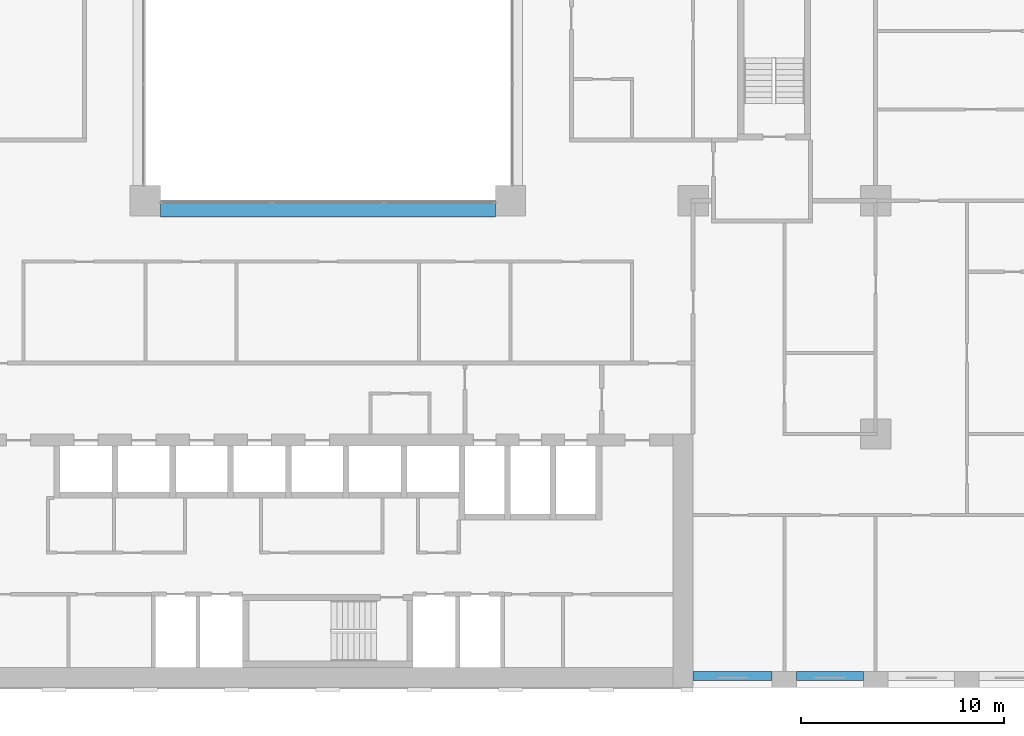
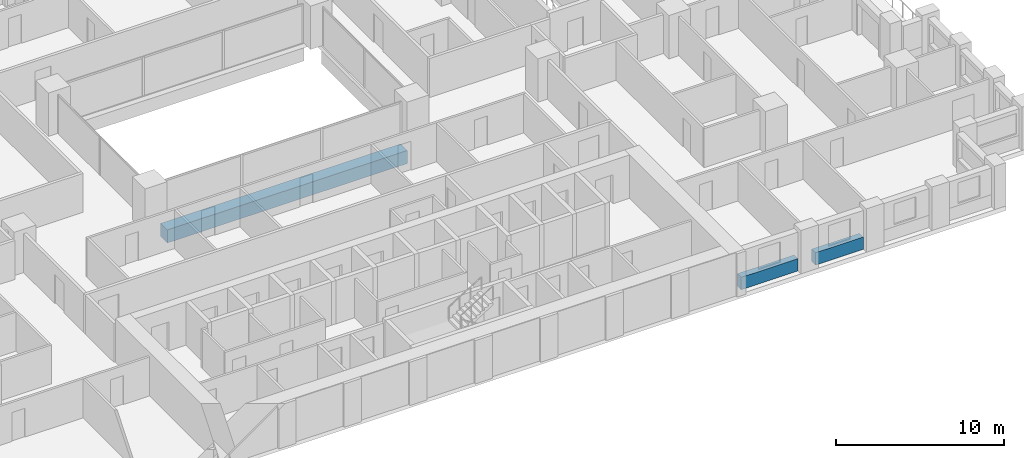
# One storey, part 3 of 20: 3 beams.
"""IFC4 building model written with IfcOpenShell, lengths in metres."""

from ifc_helpers import new_model, si_unit, direction, frame, origin, origin_2d, place, context, subcontext, project, spatial, rectangle, extrude, material, material_profile, profile_set, type_object, element, save


model = new_model("IFC4")

# Units and contexts
model_context = context("Model", 3, precision=1e-05, world=origin(), true_north=direction((0.0, 1.0)))
body_context = subcontext(model_context, "Body", "Model", "MODEL_VIEW")
ifc_project = project(units=[si_unit("LENGTHUNIT", "METRE"), si_unit("AREAUNIT", "SQUARE_METRE"), si_unit("VOLUMEUNIT", "CUBIC_METRE"), si_unit("PLANEANGLEUNIT", "RADIAN"), si_unit("MASSUNIT", "GRAM", prefix="KILO")], contexts=[model_context])

# Site, building, storey
site_placement = place(None, origin())
site = spatial("IfcSite", under=ifc_project, at=site_placement, CompositionType="ELEMENT")
building_placement = place(site_placement, origin())
building = spatial("IfcBuilding", under=site, at=building_placement, Name="Brigalow Station Residences", CompositionType="ELEMENT")
storey_placement = place(building_placement, frame((0.0, 0.0, 44.699951171875)))
storey = spatial("IfcBuildingStorey", under=building, at=storey_placement, Name="L12", CompositionType="ELEMENT", Elevation=44.699951171875)

# Beams
ifc_material_1 = material(Name="Concrete C65", Category="concrete")
ifc_material_profile_1 = material_profile(ifc_material_1, rectangle(XDim=0.800048828125, YDim=0.949951171875, at=origin_2d()), Name="RC800x950")
ifc_profile_set_1 = profile_set([ifc_material_profile_1], Name="Concrete C65")
beam_type_1 = type_object("IfcBeamType", Name="ATRIUM EDGE GIRDER OVER 13.5 M SPAN 800x950 C65", PredefinedType="BEAM", material=ifc_profile_set_1)
beam_1_placement = place(storey_placement, frame((27.75, 23.60009765625, -0.794921875), z_axis=(1.0, 0.0, 0.0), x_axis=(0.0, 1.0, 0.0)))
element("IfcBeam", 1, at=beam_1_placement, inside=storey, type_object=beam_type_1, Name="ATRIUM EDGE GIRDER C L12", PredefinedType="BEAM", context=body_context, shape_type="SweptSolid", body=[
    extrude(rectangle(XDim=0.800048828125, YDim=0.949951171875, at=origin_2d()), origin(), (0.0, 0.0, 1.0), 16.5),
])
ifc_material_2 = material(Name="Concrete C65", Category="concrete")
ifc_material_profile_2 = material_profile(ifc_material_2, rectangle(XDim=0.449951171875, YDim=0.89990234375, at=origin_2d()), Name="RC450x900")
ifc_profile_set_2 = profile_set([ifc_material_profile_2], Name="Concrete C65")
beam_type_2 = type_object("IfcBeamType", Name="SPANDREL BEAM 450x900 C65", PredefinedType="SPANDREL", material=ifc_profile_set_2)
beam_2_placement = place(storey_placement, frame((54.0, 0.574951171875, 0.449951171875), z_axis=(1.0, 0.0, 0.0), x_axis=(0.0, 1.0, 0.0)))
element("IfcBeam", 2, at=beam_2_placement, inside=storey, type_object=beam_type_2, Name="L12/spandrel/W-L12-5", PredefinedType="SPANDREL", context=body_context, shape_type="SweptSolid", body=[
    extrude(rectangle(XDim=0.449951171875, YDim=0.89990234375, at=origin_2d()), origin(), (0.0, 0.0, 1.0), 3.89990234375),
])
beam_3_placement = place(storey_placement, frame((59.10009765625, 0.574951171875, 0.449951171875), z_axis=(1.0, 0.0, 0.0), x_axis=(0.0, 1.0, 0.0)))
element("IfcBeam", 3, at=beam_3_placement, inside=storey, type_object=beam_type_2, Name="L12/spandrel/W-L12-6", PredefinedType="SPANDREL", context=body_context, shape_type="SweptSolid", body=[
    extrude(rectangle(XDim=0.449951171875, YDim=0.89990234375, at=origin_2d()), origin(), (0.0, 0.0, 1.0), 3.2998046875),
])

save(model, "model.ifc")
